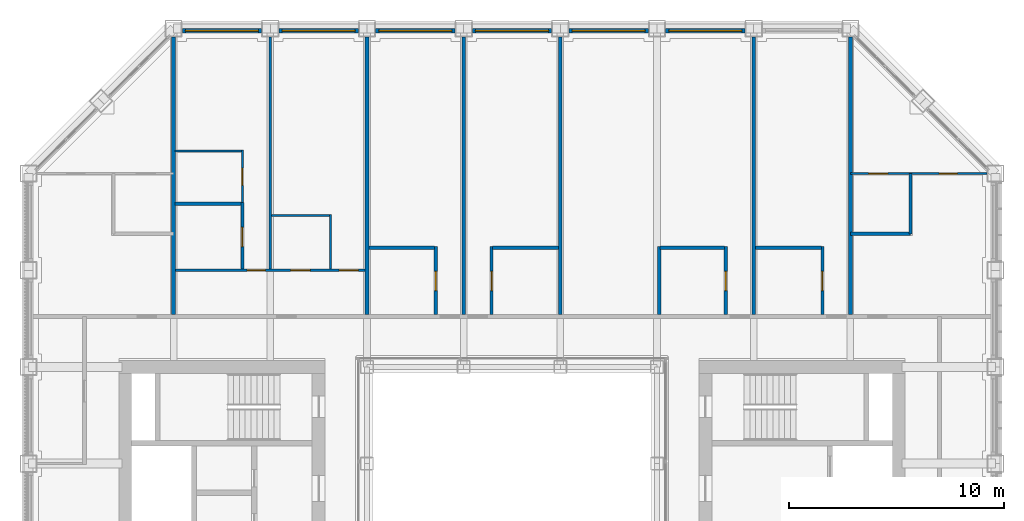
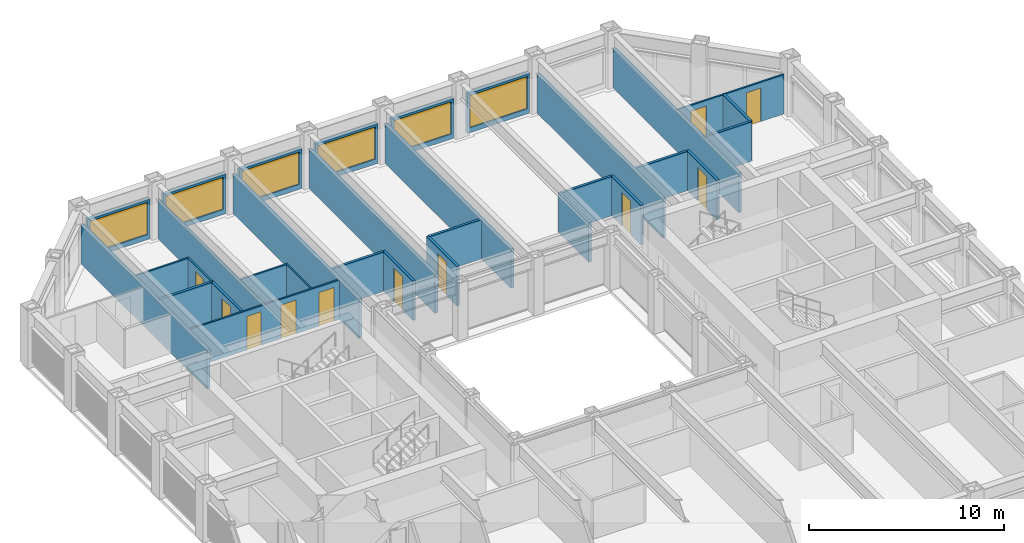
# One storey, part 13 of 17: 32 walls, 11 doors, 6 windows, 17 openings.
"""IFC4 building model written with IfcOpenShell, lengths in metres."""

from ifc_helpers import new_model, si_unit, direction, frame, frame_2d, origin, place, context, subcontext, project, spatial, rectangle, extrude, material, layer, layer_set, type_object, element, fill, save


model = new_model("IFC4")

# Units and contexts
model_context = context("Model", 3, precision=1e-05, world=origin(), true_north=direction((0.0, 1.0)))
body_context = subcontext(model_context, "Body", "Model", "MODEL_VIEW")
ifc_project = project(units=[si_unit("LENGTHUNIT", "METRE"), si_unit("AREAUNIT", "SQUARE_METRE"), si_unit("VOLUMEUNIT", "CUBIC_METRE"), si_unit("PLANEANGLEUNIT", "RADIAN"), si_unit("MASSUNIT", "GRAM", prefix="KILO")], contexts=[model_context])

# Site, building, storey
site_placement = place(None, origin())
site = spatial("IfcSite", under=ifc_project, at=site_placement, CompositionType="ELEMENT")
building_placement = place(site_placement, origin())
building = spatial("IfcBuilding", under=site, at=building_placement, Name="Msasa Ring Tower", CompositionType="ELEMENT")
storey_placement = place(building_placement, frame((0.0, 0.0, 176.0)))
storey = spatial("IfcBuildingStorey", under=building, at=storey_placement, Name="L46", CompositionType="ELEMENT", Elevation=176.0)

# Wall, opening, window
ifc_material_1 = material(Name="Terracotta rainscreen on blockwork", Category="masonry")
ifc_layer_1 = layer(ifc_material_1, 0.199951171875)
ifc_layer_set_1 = layer_set([ifc_layer_1], Name="FW1 TERRACOTTA-LINED INFILL BAY WALL 200")
wall_type_1 = type_object("IfcWallType", Name="FW1 TERRACOTTA-LINED INFILL BAY WALL 200", PredefinedType="SOLIDWALL", material=ifc_layer_set_1)
wall_1_placement = place(storey_placement, frame((-15.344970703125, 22.39990234375, 0.0), z_axis=(0.0, 0.0, 1.0), x_axis=(1.0, 0.0, 0.0)))
wall_1 = element("IfcWall", 1, at=wall_1_placement, inside=storey, type_object=wall_type_1, Name="Infill bay wall N L46 18", PredefinedType="SOLIDWALL", context=body_context, shape_type="SweptSolid", body=[
    extrude(rectangle(XDim=3.68994140625, YDim=0.199951171875, at=frame_2d((1.844970703125, 0.0))), origin(), (0.0, 0.0, 1.0), 2.47900390625),
])
opening_1_placement = place(wall_1_placement, frame((0.14501953125, 0.0, 0.300048828125)))
opening_1 = element("IfcOpeningElement", 2, at=opening_1_placement, cuts=wall_1, Name="Opening WN2", PredefinedType="OPENING", context=body_context, shape_type="SweptSolid", body=[
    extrude(rectangle(XDim=3.39990234375, YDim=2.029052734375, at=frame_2d((1.699951171875, 1.0146484375))), frame((0.0, 0.10986328125, 0.0), z_axis=(0.0, -1.0, 0.0), x_axis=(1.0, 0.0, 0.0)), (0.0, 0.0, 1.0), 0.219970703125),
])
ifc_material_2 = material(Name="Aluminium frame with clear glass", Category="aluminium")
window_type = type_object("IfcWindowType", Name="WN2 GUEST ROOM WINDOW 3400x2029", PartitioningType="SINGLE_PANEL", PredefinedType="WINDOW", material=ifc_material_2)
window_1_placement = place(opening_1_placement, origin())
window_1 = element("IfcWindow", 3, at=window_1_placement, inside=storey, type_object=window_type, Name="Window N L46 18", OverallHeight=2.029052734375, OverallWidth=3.39990234375, PartitioningType="SINGLE_PANEL", PredefinedType="WINDOW", context=body_context, shape_type="SweptSolid", body=[
    extrude(rectangle(XDim=3.39990234375, YDim=2.029052734375, at=frame_2d((1.699951171875, 1.0146484375))), frame((0.0, 0.030029296875, 0.0), z_axis=(0.0, -1.0, 0.0), x_axis=(1.0, 0.0, 0.0)), (0.0, 0.0, 1.0), 0.06005859375),
])
fill(opening_1, window_1)

wall_2_placement = place(storey_placement, frame((-10.844970703125, 22.39990234375, 0.0), z_axis=(0.0, 0.0, 1.0), x_axis=(1.0, 0.0, 0.0)))
wall_2 = element("IfcWall", 4, at=wall_2_placement, inside=storey, type_object=wall_type_1, Name="Infill bay wall N L46 19", PredefinedType="SOLIDWALL", context=body_context, shape_type="SweptSolid", body=[
    extrude(rectangle(XDim=3.68994140625, YDim=0.199951171875, at=frame_2d((1.844970703125, 0.0))), origin(), (0.0, 0.0, 1.0), 2.47900390625),
])
opening_2_placement = place(wall_2_placement, frame((0.14501953125, 0.0, 0.300048828125)))
opening_2 = element("IfcOpeningElement", 5, at=opening_2_placement, cuts=wall_2, Name="Opening WN2", PredefinedType="OPENING", context=body_context, shape_type="SweptSolid", body=[
    extrude(rectangle(XDim=3.39990234375, YDim=2.029052734375, at=frame_2d((1.699951171875, 1.0146484375))), frame((0.0, 0.10986328125, 0.0), z_axis=(0.0, -1.0, 0.0), x_axis=(1.0, 0.0, 0.0)), (0.0, 0.0, 1.0), 0.219970703125),
])
window_2_placement = place(opening_2_placement, origin())
window_2 = element("IfcWindow", 6, at=window_2_placement, inside=storey, type_object=window_type, Name="Window N L46 19", OverallHeight=2.029052734375, OverallWidth=3.39990234375, PartitioningType="SINGLE_PANEL", PredefinedType="WINDOW", context=body_context, shape_type="SweptSolid", body=[
    extrude(rectangle(XDim=3.39990234375, YDim=2.029052734375, at=frame_2d((1.699951171875, 1.0146484375))), frame((0.0, 0.030029296875, 0.0), z_axis=(0.0, -1.0, 0.0), x_axis=(1.0, 0.0, 0.0)), (0.0, 0.0, 1.0), 0.06005859375),
])
fill(opening_2, window_2)

wall_3_placement = place(storey_placement, frame((-6.344970703125, 22.39990234375, 0.0), z_axis=(0.0, 0.0, 1.0), x_axis=(1.0, 0.0, 0.0)))
wall_3 = element("IfcWall", 7, at=wall_3_placement, inside=storey, type_object=wall_type_1, Name="Infill bay wall N L46 20", PredefinedType="SOLIDWALL", context=body_context, shape_type="SweptSolid", body=[
    extrude(rectangle(XDim=3.68994140625, YDim=0.199951171875, at=frame_2d((1.844970703125, 0.0))), origin(), (0.0, 0.0, 1.0), 2.47900390625),
])
opening_3_placement = place(wall_3_placement, frame((0.14501953125, 0.0, 0.300048828125)))
opening_3 = element("IfcOpeningElement", 8, at=opening_3_placement, cuts=wall_3, Name="Opening WN2", PredefinedType="OPENING", context=body_context, shape_type="SweptSolid", body=[
    extrude(rectangle(XDim=3.39990234375, YDim=2.029052734375, at=frame_2d((1.699951171875, 1.0146484375))), frame((0.0, 0.10986328125, 0.0), z_axis=(0.0, -1.0, 0.0), x_axis=(1.0, 0.0, 0.0)), (0.0, 0.0, 1.0), 0.219970703125),
])
window_3_placement = place(opening_3_placement, origin())
window_3 = element("IfcWindow", 9, at=window_3_placement, inside=storey, type_object=window_type, Name="Window N L46 20", OverallHeight=2.029052734375, OverallWidth=3.39990234375, PartitioningType="SINGLE_PANEL", PredefinedType="WINDOW", context=body_context, shape_type="SweptSolid", body=[
    extrude(rectangle(XDim=3.39990234375, YDim=2.029052734375, at=frame_2d((1.699951171875, 1.0146484375))), frame((0.0, 0.030029296875, 0.0), z_axis=(0.0, -1.0, 0.0), x_axis=(1.0, 0.0, 0.0)), (0.0, 0.0, 1.0), 0.06005859375),
])
fill(opening_3, window_3)

wall_4_placement = place(storey_placement, frame((-1.844970703125, 22.39990234375, 0.0), z_axis=(0.0, 0.0, 1.0), x_axis=(1.0, 0.0, 0.0)))
wall_4 = element("IfcWall", 10, at=wall_4_placement, inside=storey, type_object=wall_type_1, Name="Infill bay wall N L46 21", PredefinedType="SOLIDWALL", context=body_context, shape_type="SweptSolid", body=[
    extrude(rectangle(XDim=3.68994140625, YDim=0.199951171875, at=frame_2d((1.844970703125, 0.0))), origin(), (0.0, 0.0, 1.0), 2.47900390625),
])
opening_4_placement = place(wall_4_placement, frame((0.14501953125, 0.0, 0.300048828125)))
opening_4 = element("IfcOpeningElement", 11, at=opening_4_placement, cuts=wall_4, Name="Opening WN2", PredefinedType="OPENING", context=body_context, shape_type="SweptSolid", body=[
    extrude(rectangle(XDim=3.39990234375, YDim=2.029052734375, at=frame_2d((1.699951171875, 1.0146484375))), frame((0.0, 0.10986328125, 0.0), z_axis=(0.0, -1.0, 0.0), x_axis=(1.0, 0.0, 0.0)), (0.0, 0.0, 1.0), 0.219970703125),
])
window_4_placement = place(opening_4_placement, origin())
window_4 = element("IfcWindow", 12, at=window_4_placement, inside=storey, type_object=window_type, Name="Window N L46 21", OverallHeight=2.029052734375, OverallWidth=3.39990234375, PartitioningType="SINGLE_PANEL", PredefinedType="WINDOW", context=body_context, shape_type="SweptSolid", body=[
    extrude(rectangle(XDim=3.39990234375, YDim=2.029052734375, at=frame_2d((1.699951171875, 1.0146484375))), frame((0.0, 0.030029296875, 0.0), z_axis=(0.0, -1.0, 0.0), x_axis=(1.0, 0.0, 0.0)), (0.0, 0.0, 1.0), 0.06005859375),
])
fill(opening_4, window_4)

wall_5_placement = place(storey_placement, frame((2.655029296875, 22.39990234375, 0.0), z_axis=(0.0, 0.0, 1.0), x_axis=(1.0, 0.0, 0.0)))
wall_5 = element("IfcWall", 13, at=wall_5_placement, inside=storey, type_object=wall_type_1, Name="Infill bay wall N L46 22", PredefinedType="SOLIDWALL", context=body_context, shape_type="SweptSolid", body=[
    extrude(rectangle(XDim=3.68994140625, YDim=0.199951171875, at=frame_2d((1.844970703125, 0.0))), origin(), (0.0, 0.0, 1.0), 2.47900390625),
])
opening_5_placement = place(wall_5_placement, frame((0.14501953125, 0.0, 0.300048828125)))
opening_5 = element("IfcOpeningElement", 14, at=opening_5_placement, cuts=wall_5, Name="Opening WN2", PredefinedType="OPENING", context=body_context, shape_type="SweptSolid", body=[
    extrude(rectangle(XDim=3.39990234375, YDim=2.029052734375, at=frame_2d((1.699951171875, 1.0146484375))), frame((0.0, 0.10986328125, 0.0), z_axis=(0.0, -1.0, 0.0), x_axis=(1.0, 0.0, 0.0)), (0.0, 0.0, 1.0), 0.219970703125),
])
window_5_placement = place(opening_5_placement, origin())
window_5 = element("IfcWindow", 15, at=window_5_placement, inside=storey, type_object=window_type, Name="Window N L46 22", OverallHeight=2.029052734375, OverallWidth=3.39990234375, PartitioningType="SINGLE_PANEL", PredefinedType="WINDOW", context=body_context, shape_type="SweptSolid", body=[
    extrude(rectangle(XDim=3.39990234375, YDim=2.029052734375, at=frame_2d((1.699951171875, 1.0146484375))), frame((0.0, 0.030029296875, 0.0), z_axis=(0.0, -1.0, 0.0), x_axis=(1.0, 0.0, 0.0)), (0.0, 0.0, 1.0), 0.06005859375),
])
fill(opening_5, window_5)

wall_6_placement = place(storey_placement, frame((7.155029296875, 22.39990234375, 0.0), z_axis=(0.0, 0.0, 1.0), x_axis=(1.0, 0.0, 0.0)))
wall_6 = element("IfcWall", 16, at=wall_6_placement, inside=storey, type_object=wall_type_1, Name="Infill bay wall N L46 23", PredefinedType="SOLIDWALL", context=body_context, shape_type="SweptSolid", body=[
    extrude(rectangle(XDim=3.68994140625, YDim=0.199951171875, at=frame_2d((1.844970703125, 0.0))), origin(), (0.0, 0.0, 1.0), 2.47900390625),
])
opening_6_placement = place(wall_6_placement, frame((0.14501953125, 0.0, 0.300048828125)))
opening_6 = element("IfcOpeningElement", 17, at=opening_6_placement, cuts=wall_6, Name="Opening WN2", PredefinedType="OPENING", context=body_context, shape_type="SweptSolid", body=[
    extrude(rectangle(XDim=3.39990234375, YDim=2.029052734375, at=frame_2d((1.699951171875, 1.0146484375))), frame((0.0, 0.10986328125, 0.0), z_axis=(0.0, -1.0, 0.0), x_axis=(1.0, 0.0, 0.0)), (0.0, 0.0, 1.0), 0.219970703125),
])
window_6_placement = place(opening_6_placement, origin())
window_6 = element("IfcWindow", 18, at=window_6_placement, inside=storey, type_object=window_type, Name="Window N L46 23", OverallHeight=2.029052734375, OverallWidth=3.39990234375, PartitioningType="SINGLE_PANEL", PredefinedType="WINDOW", context=body_context, shape_type="SweptSolid", body=[
    extrude(rectangle(XDim=3.39990234375, YDim=2.029052734375, at=frame_2d((1.699951171875, 1.0146484375))), frame((0.0, 0.030029296875, 0.0), z_axis=(0.0, -1.0, 0.0), x_axis=(1.0, 0.0, 0.0)), (0.0, 0.0, 1.0), 0.06005859375),
])
fill(opening_6, window_6)

# Wall, openings, doors
ifc_material_3 = material(Name="Gypsum board on steel studs", Category="steel")
ifc_layer_2 = layer(ifc_material_3, 0.10009765625)
ifc_layer_set_2 = layer_set([ifc_layer_2], Name="PT2 STUD PARTITION 100")
wall_type_2 = type_object("IfcWallType", Name="PT2 STUD PARTITION 100", PredefinedType="PARTITIONING", material=ifc_layer_set_2)
wall_7_placement = place(storey_placement, frame((-15.66259765625, 11.25, 0.0), z_axis=(0.0, 0.0, 1.0), x_axis=(1.0, 0.0, 0.0)))
wall_7 = element("IfcWall", 19, at=wall_7_placement, inside=storey, type_object=wall_type_2, Name="Partition L46-GN00HY", PredefinedType="PARTITIONING", context=body_context, shape_type="SweptSolid", body=[
    extrude(rectangle(XDim=8.8251953125, YDim=0.10009765625, at=frame_2d((4.41259765625, 0.0))), origin(), (0.0, 0.0, 1.0), 2.473388671875),
])
opening_7_placement = place(wall_7_placement, frame((5.362548828125, 0.0, 0.0)))
opening_7 = element("IfcOpeningElement", 20, at=opening_7_placement, cuts=wall_7, Name="Opening HF-008", PredefinedType="OPENING", context=body_context, shape_type="SweptSolid", body=[
    extrude(rectangle(XDim=0.89990234375, YDim=2.10009765625, at=frame_2d((0.449951171875, 1.050048828125))), frame((0.0, 0.06005859375, 0.0), z_axis=(0.0, -1.0, 0.0), x_axis=(1.0, 0.0, 0.0)), (0.0, 0.0, 1.0), 0.1201171875),
])
opening_8_placement = place(wall_7_placement, frame((7.612548828125, 0.0, 0.0)))
opening_8 = element("IfcOpeningElement", 21, at=opening_8_placement, cuts=wall_7, Name="Opening HF-009", PredefinedType="OPENING", context=body_context, shape_type="SweptSolid", body=[
    extrude(rectangle(XDim=0.89990234375, YDim=2.10009765625, at=frame_2d((0.449951171875, 1.050048828125))), frame((0.0, 0.06005859375, 0.0), z_axis=(0.0, -1.0, 0.0), x_axis=(1.0, 0.0, 0.0)), (0.0, 0.0, 1.0), 0.1201171875),
])
opening_9_placement = place(wall_7_placement, frame((3.33740234375, 0.0, 0.0)))
opening_9 = element("IfcOpeningElement", 22, at=opening_9_placement, cuts=wall_7, Name="Opening HF-007", PredefinedType="OPENING", context=body_context, shape_type="SweptSolid", body=[
    extrude(rectangle(XDim=0.85009765625, YDim=2.10009765625, at=frame_2d((0.425048828125, 1.050048828125))), frame((0.0, 0.06005859375, 0.0), z_axis=(0.0, -1.0, 0.0), x_axis=(1.0, 0.0, 0.0)), (0.0, 0.0, 1.0), 0.1201171875),
])
ifc_material_4 = material(Name="Timber door leaf in a steel frame", Category="steel")
door_type_1 = type_object("IfcDoorType", Name="D14 BEDROOM DOOR 850x2100", OperationType="SINGLE_SWING_LEFT", PredefinedType="DOOR", material=ifc_material_4)
door_1_placement = place(opening_9_placement, origin())
door_1 = element("IfcDoor", 23, at=door_1_placement, inside=storey, type_object=door_type_1, Name="Door L46-GN00R1", OperationType="SINGLE_SWING_LEFT", OverallHeight=2.10009765625, OverallWidth=0.85009765625, PredefinedType="DOOR", context=body_context, shape_type="SweptSolid", body=[
    extrude(rectangle(XDim=0.85009765625, YDim=2.10009765625, at=frame_2d((0.425048828125, 1.050048828125))), frame((0.0, 0.02490234375, 0.0), z_axis=(0.0, -1.0, 0.0), x_axis=(1.0, 0.0, 0.0)), (0.0, 0.0, 1.0), 0.050048828125),
])
fill(opening_9, door_1)
ifc_material_5 = material(Name="Timber door leaf in a steel frame", Category="steel")
door_type_2 = type_object("IfcDoorType", Name="D22 INTERNAL HALL DOOR 900x2100", OperationType="SINGLE_SWING_LEFT", PredefinedType="DOOR", material=ifc_material_5)
door_2_placement = place(opening_7_placement, origin())
door_2 = element("IfcDoor", 24, at=door_2_placement, inside=storey, type_object=door_type_2, Name="Door L46-GN00K", OperationType="SINGLE_SWING_RIGHT", OverallHeight=2.10009765625, OverallWidth=0.89990234375, PredefinedType="DOOR", context=body_context, shape_type="SweptSolid", body=[
    extrude(rectangle(XDim=0.89990234375, YDim=2.10009765625, at=frame_2d((0.449951171875, 1.050048828125))), frame((0.0, 0.02490234375, 0.0), z_axis=(0.0, -1.0, 0.0), x_axis=(1.0, 0.0, 0.0)), (0.0, 0.0, 1.0), 0.050048828125),
])
fill(opening_7, door_2)
door_3_placement = place(opening_8_placement, origin())
door_3 = element("IfcDoor", 25, at=door_3_placement, inside=storey, type_object=door_type_2, Name="Door L46-GN00L", OperationType="SINGLE_SWING_RIGHT", OverallHeight=2.10009765625, OverallWidth=0.89990234375, PredefinedType="DOOR", context=body_context, shape_type="SweptSolid", body=[
    extrude(rectangle(XDim=0.89990234375, YDim=2.10009765625, at=frame_2d((0.449951171875, 1.050048828125))), frame((0.0, 0.02490234375, 0.0), z_axis=(0.0, -1.0, 0.0), x_axis=(1.0, 0.0, 0.0)), (0.0, 0.0, 1.0), 0.050048828125),
])
fill(opening_8, door_3)

# Walls
wall_8_placement = place(storey_placement, frame((-8.449951171875, 11.300048828125, 0.0), z_axis=(0.0, 0.0, 1.0), x_axis=(0.0, 1.0, 0.0)))
element("IfcWall", 26, at=wall_8_placement, inside=storey, type_object=wall_type_2, Name="Partition L46-GN00KX", PredefinedType="PARTITIONING", context=body_context, shape_type="SweptSolid", body=[
    extrude(rectangle(XDim=2.550048828125, YDim=0.10009765625, at=frame_2d((1.27490234375, 0.0))), origin(), (0.0, 0.0, 1.0), 2.473388671875),
])
wall_9_placement = place(storey_placement, frame((-11.199951171875, 13.800048828125, 0.0), z_axis=(0.0, 0.0, 1.0), x_axis=(1.0, 0.0, 0.0)))
element("IfcWall", 27, at=wall_9_placement, inside=storey, type_object=wall_type_2, Name="Partition L46-GN00KY", PredefinedType="PARTITIONING", context=body_context, shape_type="SweptSolid", body=[
    extrude(rectangle(XDim=2.75, YDim=0.10009765625, at=frame_2d((1.375, 0.0))), origin(), (0.0, 0.0, 1.0), 2.473388671875),
])
wall_10_placement = place(storey_placement, frame((-11.25, 11.300048828125, 0.0), z_axis=(0.0, 0.0, 1.0), x_axis=(0.0, 1.0, 0.0)))
element("IfcWall", 28, at=wall_10_placement, inside=storey, type_object=wall_type_2, Name="Partition L46-GN00P1", PredefinedType="PARTITIONING", context=body_context, shape_type="SweptSolid", body=[
    extrude(rectangle(XDim=10.800048828125, YDim=0.10009765625, at=frame_2d((5.39990234375, 0.0))), origin(), (0.0, 0.0, 1.0), 2.473388671875),
])

# Wall, opening, door
wall_11_placement = place(storey_placement, frame((-12.550048828125, 14.39990234375, 0.0), z_axis=(0.0, 0.0, 1.0), x_axis=(0.0, 1.0, 0.0)))
wall_11 = element("IfcWall", 29, at=wall_11_placement, inside=storey, type_object=wall_type_2, Name="Partition L46-GN00WX1", PredefinedType="PARTITIONING", context=body_context, shape_type="SweptSolid", body=[
    extrude(rectangle(XDim=2.4501953125, YDim=0.10009765625, at=frame_2d((1.22509765625, 0.0))), origin(), (0.0, 0.0, 1.0), 2.473388671875),
])
opening_10_placement = place(wall_11_placement, frame((0.800048828125, 0.0, 0.0)))
opening_10 = element("IfcOpeningElement", 30, at=opening_10_placement, cuts=wall_11, Name="Opening HF-005", PredefinedType="OPENING", context=body_context, shape_type="SweptSolid", body=[
    extrude(rectangle(XDim=0.800048828125, YDim=2.10009765625, at=frame_2d((0.39990234375, 1.050048828125))), frame((0.0, 0.06005859375, 0.0), z_axis=(0.0, -1.0, 0.0), x_axis=(1.0, 0.0, 0.0)), (0.0, 0.0, 1.0), 0.1201171875),
])
ifc_material_6 = material(Name="Timber door leaf in a steel frame", Category="steel")
door_type_3 = type_object("IfcDoorType", Name="D60 DRESSING ROOM DOOR 800x2100", OperationType="SINGLE_SWING_LEFT", PredefinedType="DOOR", material=ifc_material_6)
door_4_placement = place(opening_10_placement, origin())
door_4 = element("IfcDoor", 31, at=door_4_placement, inside=storey, type_object=door_type_3, Name="Door L46-GN00W1", OperationType="SINGLE_SWING_LEFT", OverallHeight=2.10009765625, OverallWidth=0.800048828125, PredefinedType="DOOR", context=body_context, shape_type="SweptSolid", body=[
    extrude(rectangle(XDim=0.800048828125, YDim=2.10009765625, at=frame_2d((0.39990234375, 1.050048828125))), frame((0.0, 0.02490234375, 0.0), z_axis=(0.0, -1.0, 0.0), x_axis=(1.0, 0.0, 0.0)), (0.0, 0.0, 1.0), 0.050048828125),
])
fill(opening_10, door_4)

# Wall
wall_12_placement = place(storey_placement, frame((-15.68994140625, 16.800048828125, 0.0), z_axis=(0.0, 0.0, 1.0), x_axis=(1.0, 0.0, 0.0)))
element("IfcWall", 32, at=wall_12_placement, inside=storey, type_object=wall_type_2, Name="Partition L46-GN00WY1", PredefinedType="PARTITIONING", context=body_context, shape_type="SweptSolid", body=[
    extrude(rectangle(XDim=3.139892578125, YDim=0.10009765625, at=frame_2d((1.56982421875, 0.0))), origin(), (0.0, 0.0, 1.0), 2.473388671875),
])

# Wall, openings, doors
wall_13_placement = place(storey_placement, frame((15.75, 15.75, 0.0), z_axis=(0.0, 0.0, 1.0), x_axis=(1.0, 0.0, 0.0)))
wall_13 = element("IfcWall", 33, at=wall_13_placement, inside=storey, type_object=wall_type_2, Name="Partition L46-CSNEX", PredefinedType="PARTITIONING", context=body_context, shape_type="SweptSolid", body=[
    extrude(rectangle(XDim=6.35009765625, YDim=0.10009765625, at=frame_2d((3.175048828125, 0.0))), origin(), (0.0, 0.0, 1.0), 2.473388671875),
])
opening_11_placement = place(wall_13_placement, frame((4.125, 0.0, 0.0)))
opening_11 = element("IfcOpeningElement", 34, at=opening_11_placement, cuts=wall_13, Name="Opening HF-004", PredefinedType="OPENING", context=body_context, shape_type="SweptSolid", body=[
    extrude(rectangle(XDim=0.85009765625, YDim=2.10009765625, at=frame_2d((0.425048828125, 1.050048828125))), frame((0.0, 0.06005859375, 0.0), z_axis=(0.0, -1.0, 0.0), x_axis=(1.0, 0.0, 0.0)), (0.0, 0.0, 1.0), 0.1201171875),
])
opening_12_placement = place(wall_13_placement, frame((0.85009765625, 0.0, 0.0)))
opening_12 = element("IfcOpeningElement", 35, at=opening_12_placement, cuts=wall_13, Name="Opening HF-003", PredefinedType="OPENING", context=body_context, shape_type="SweptSolid", body=[
    extrude(rectangle(XDim=0.89990234375, YDim=2.10009765625, at=frame_2d((0.449951171875, 1.050048828125))), frame((0.0, 0.06005859375, 0.0), z_axis=(0.0, -1.0, 0.0), x_axis=(1.0, 0.0, 0.0)), (0.0, 0.0, 1.0), 0.1201171875),
])
door_5_placement = place(opening_11_placement, origin())
door_5 = element("IfcDoor", 36, at=door_5_placement, inside=storey, type_object=door_type_1, Name="Door L46-CSNER1", OperationType="SINGLE_SWING_RIGHT", OverallHeight=2.10009765625, OverallWidth=0.85009765625, PredefinedType="DOOR", context=body_context, shape_type="SweptSolid", body=[
    extrude(rectangle(XDim=0.85009765625, YDim=2.10009765625, at=frame_2d((0.425048828125, 1.050048828125))), frame((0.0, 0.02490234375, 0.0), z_axis=(0.0, -1.0, 0.0), x_axis=(1.0, 0.0, 0.0)), (0.0, 0.0, 1.0), 0.050048828125),
])
fill(opening_11, door_5)
ifc_material_7 = material(Name="Timber door leaf in a steel frame", Category="steel")
door_type_4 = type_object("IfcDoorType", Name="D3 BATHROOM DOOR 900x2100", OperationType="SINGLE_SWING_LEFT", PredefinedType="DOOR", material=ifc_material_7)
door_6_placement = place(opening_12_placement, origin())
door_6 = element("IfcDoor", 37, at=door_6_placement, inside=storey, type_object=door_type_4, Name="Door L46-CSNEB1", OperationType="SINGLE_SWING_LEFT", OverallHeight=2.10009765625, OverallWidth=0.89990234375, PredefinedType="DOOR", context=body_context, shape_type="SweptSolid", body=[
    extrude(rectangle(XDim=0.89990234375, YDim=2.10009765625, at=frame_2d((0.449951171875, 1.050048828125))), frame((0.0, 0.02490234375, 0.0), z_axis=(0.0, -1.0, 0.0), x_axis=(1.0, 0.0, 0.0)), (0.0, 0.0, 1.0), 0.050048828125),
])
fill(opening_12, door_6)

# Wall, opening, door
ifc_material_8 = material(Name="Moisture-resistant board on steel studs with a concealed cistern and pipe void, tiled", Category="steel")
ifc_layer_3 = layer(ifc_material_8, 0.14990234375)
ifc_layer_set_3 = layer_set([ifc_layer_3], Name="PT4 BATHROOM WET WALL 150")
wall_type_3 = type_object("IfcWallType", Name="PT4 BATHROOM WET WALL 150", PredefinedType="PARTITIONING", material=ifc_layer_set_3)
wall_14_placement = place(storey_placement, frame((-12.550048828125, 11.300048828125, 0.0), z_axis=(0.0, 0.0, 1.0), x_axis=(0.0, 1.0, 0.0)))
wall_14 = element("IfcWall", 38, at=wall_14_placement, inside=storey, type_object=wall_type_3, Name="Partition L46-GN00BX1", PredefinedType="PARTITIONING", context=body_context, shape_type="SweptSolid", body=[
    extrude(rectangle(XDim=3.099853515625, YDim=0.14990234375, at=frame_2d((1.5498046875, 0.0))), origin(), (0.0, 0.0, 1.0), 2.473388671875),
])
opening_13_placement = place(wall_14_placement, frame((1.050048828125, 0.0, 0.0)))
opening_13 = element("IfcOpeningElement", 39, at=opening_13_placement, cuts=wall_14, Name="Opening HF-006", PredefinedType="OPENING", context=body_context, shape_type="SweptSolid", body=[
    extrude(rectangle(XDim=0.89990234375, YDim=2.10009765625, at=frame_2d((0.449951171875, 1.050048828125))), frame((0.0, 0.0849609375, 0.0), z_axis=(0.0, -1.0, 0.0), x_axis=(1.0, 0.0, 0.0)), (0.0, 0.0, 1.0), 0.169921875),
])
door_7_placement = place(opening_13_placement, origin())
door_7 = element("IfcDoor", 40, at=door_7_placement, inside=storey, type_object=door_type_4, Name="Door L46-GN00B1", OperationType="SINGLE_SWING_LEFT", OverallHeight=2.10009765625, OverallWidth=0.89990234375, PredefinedType="DOOR", context=body_context, shape_type="SweptSolid", body=[
    extrude(rectangle(XDim=0.89990234375, YDim=2.10009765625, at=frame_2d((0.449951171875, 1.050048828125))), frame((0.0, 0.02490234375, 0.0), z_axis=(0.0, -1.0, 0.0), x_axis=(1.0, 0.0, 0.0)), (0.0, 0.0, 1.0), 0.050048828125),
])
fill(opening_13, door_7)

# Wall
wall_15_placement = place(storey_placement, frame((-15.68994140625, 14.35009765625, 0.0), z_axis=(0.0, 0.0, 1.0), x_axis=(1.0, 0.0, 0.0)))
element("IfcWall", 41, at=wall_15_placement, inside=storey, type_object=wall_type_3, Name="Partition L46-GN00BY1", PredefinedType="PARTITIONING", context=body_context, shape_type="SweptSolid", body=[
    extrude(rectangle(XDim=3.139892578125, YDim=0.14990234375, at=frame_2d((1.56982421875, 0.0))), origin(), (0.0, 0.0, 1.0), 2.473388671875),
])

# Wall, opening, door
wall_16_placement = place(storey_placement, frame((-3.550048828125, 9.199951171875, 0.0), z_axis=(0.0, 0.0, 1.0), x_axis=(0.0, 1.0, 0.0)))
wall_16 = element("IfcWall", 42, at=wall_16_placement, inside=storey, type_object=wall_type_3, Name="Partition L46-GN01BX", PredefinedType="PARTITIONING", context=body_context, shape_type="SweptSolid", body=[
    extrude(rectangle(XDim=3.150146484375, YDim=0.14990234375, at=frame_2d((1.5751953125, 0.0))), origin(), (0.0, 0.0, 1.0), 2.473388671875),
])
opening_14_placement = place(wall_16_placement, frame((1.10009765625, 0.0, 0.0)))
opening_14 = element("IfcOpeningElement", 43, at=opening_14_placement, cuts=wall_16, Name="Opening HF-010", PredefinedType="OPENING", context=body_context, shape_type="SweptSolid", body=[
    extrude(rectangle(XDim=0.89990234375, YDim=2.10009765625, at=frame_2d((0.449951171875, 1.050048828125))), frame((0.0, 0.0849609375, 0.0), z_axis=(0.0, -1.0, 0.0), x_axis=(1.0, 0.0, 0.0)), (0.0, 0.0, 1.0), 0.169921875),
])
door_8_placement = place(opening_14_placement, origin())
door_8 = element("IfcDoor", 44, at=door_8_placement, inside=storey, type_object=door_type_4, Name="Door L46-GN01B", OperationType="SINGLE_SWING_LEFT", OverallHeight=2.10009765625, OverallWidth=0.89990234375, PredefinedType="DOOR", context=body_context, shape_type="SweptSolid", body=[
    extrude(rectangle(XDim=0.89990234375, YDim=2.10009765625, at=frame_2d((0.449951171875, 1.050048828125))), frame((0.0, 0.02490234375, 0.0), z_axis=(0.0, -1.0, 0.0), x_axis=(1.0, 0.0, 0.0)), (0.0, 0.0, 1.0), 0.050048828125),
])
fill(opening_14, door_8)

# Wall
wall_17_placement = place(storey_placement, frame((-6.66259765625, 12.300048828125, 0.0), z_axis=(0.0, 0.0, 1.0), x_axis=(1.0, 0.0, 0.0)))
element("IfcWall", 45, at=wall_17_placement, inside=storey, type_object=wall_type_3, Name="Partition L46-GN01BY", PredefinedType="PARTITIONING", context=body_context, shape_type="SweptSolid", body=[
    extrude(rectangle(XDim=3.0625, YDim=0.14990234375, at=frame_2d((1.53125, 0.0))), origin(), (0.0, 0.0, 1.0), 2.473388671875),
])

# Wall, opening, door
wall_18_placement = place(storey_placement, frame((-0.949951171875, 9.199951171875, 0.0), z_axis=(0.0, 0.0, 1.0), x_axis=(0.0, 1.0, 0.0)))
wall_18 = element("IfcWall", 46, at=wall_18_placement, inside=storey, type_object=wall_type_3, Name="Partition L46-GN02BX", PredefinedType="PARTITIONING", context=body_context, shape_type="SweptSolid", body=[
    extrude(rectangle(XDim=3.150146484375, YDim=0.14990234375, at=frame_2d((1.5751953125, 0.0))), origin(), (0.0, 0.0, 1.0), 2.473388671875),
])
opening_15_placement = place(wall_18_placement, frame((1.10009765625, 0.0, 0.0)))
opening_15 = element("IfcOpeningElement", 47, at=opening_15_placement, cuts=wall_18, Name="Opening HF-011", PredefinedType="OPENING", context=body_context, shape_type="SweptSolid", body=[
    extrude(rectangle(XDim=0.89990234375, YDim=2.10009765625, at=frame_2d((0.449951171875, 1.050048828125))), frame((0.0, 0.0849609375, 0.0), z_axis=(0.0, -1.0, 0.0), x_axis=(1.0, 0.0, 0.0)), (0.0, 0.0, 1.0), 0.169921875),
])
door_9_placement = place(opening_15_placement, origin())
door_9 = element("IfcDoor", 48, at=door_9_placement, inside=storey, type_object=door_type_4, Name="Door L46-GN02B", OperationType="SINGLE_SWING_LEFT", OverallHeight=2.10009765625, OverallWidth=0.89990234375, PredefinedType="DOOR", context=body_context, shape_type="SweptSolid", body=[
    extrude(rectangle(XDim=0.89990234375, YDim=2.10009765625, at=frame_2d((0.449951171875, 1.050048828125))), frame((0.0, 0.02490234375, 0.0), z_axis=(0.0, -1.0, 0.0), x_axis=(1.0, 0.0, 0.0)), (0.0, 0.0, 1.0), 0.050048828125),
])
fill(opening_15, door_9)

# Wall
wall_19_placement = place(storey_placement, frame((-0.89990234375, 12.300048828125, 0.0), z_axis=(0.0, 0.0, 1.0), x_axis=(1.0, 0.0, 0.0)))
element("IfcWall", 49, at=wall_19_placement, inside=storey, type_object=wall_type_3, Name="Partition L46-GN02BY", PredefinedType="PARTITIONING", context=body_context, shape_type="SweptSolid", body=[
    extrude(rectangle(XDim=3.0625, YDim=0.14990234375, at=frame_2d((1.53125, 0.0))), origin(), (0.0, 0.0, 1.0), 2.473388671875),
])

# Wall, opening, door
wall_20_placement = place(storey_placement, frame((9.949951171875, 9.199951171875, 0.0), z_axis=(0.0, 0.0, 1.0), x_axis=(0.0, 1.0, 0.0)))
wall_20 = element("IfcWall", 50, at=wall_20_placement, inside=storey, type_object=wall_type_3, Name="Partition L46-GN03BX", PredefinedType="PARTITIONING", context=body_context, shape_type="SweptSolid", body=[
    extrude(rectangle(XDim=3.150146484375, YDim=0.14990234375, at=frame_2d((1.5751953125, 0.0))), origin(), (0.0, 0.0, 1.0), 2.473388671875),
])
opening_16_placement = place(wall_20_placement, frame((1.10009765625, 0.0, 0.0)))
opening_16 = element("IfcOpeningElement", 51, at=opening_16_placement, cuts=wall_20, Name="Opening HF-012", PredefinedType="OPENING", context=body_context, shape_type="SweptSolid", body=[
    extrude(rectangle(XDim=0.89990234375, YDim=2.10009765625, at=frame_2d((0.449951171875, 1.050048828125))), frame((0.0, 0.0849609375, 0.0), z_axis=(0.0, -1.0, 0.0), x_axis=(1.0, 0.0, 0.0)), (0.0, 0.0, 1.0), 0.169921875),
])
door_10_placement = place(opening_16_placement, origin())
door_10 = element("IfcDoor", 52, at=door_10_placement, inside=storey, type_object=door_type_4, Name="Door L46-GN03B", OperationType="SINGLE_SWING_LEFT", OverallHeight=2.10009765625, OverallWidth=0.89990234375, PredefinedType="DOOR", context=body_context, shape_type="SweptSolid", body=[
    extrude(rectangle(XDim=0.89990234375, YDim=2.10009765625, at=frame_2d((0.449951171875, 1.050048828125))), frame((0.0, 0.02490234375, 0.0), z_axis=(0.0, -1.0, 0.0), x_axis=(1.0, 0.0, 0.0)), (0.0, 0.0, 1.0), 0.050048828125),
])
fill(opening_16, door_10)

# Walls
wall_21_placement = place(storey_placement, frame((6.85009765625, 9.199951171875, 0.0), z_axis=(0.0, 0.0, 1.0), x_axis=(0.0, 1.0, 0.0)))
element("IfcWall", 53, at=wall_21_placement, inside=storey, type_object=wall_type_3, Name="Partition L46-GN03BF", PredefinedType="PARTITIONING", context=body_context, shape_type="SweptSolid", body=[
    extrude(rectangle(XDim=3.150146484375, YDim=0.14990234375, at=frame_2d((1.5751953125, 0.0))), origin(), (0.0, 0.0, 1.0), 2.473388671875),
])
wall_22_placement = place(storey_placement, frame((6.89990234375, 12.300048828125, 0.0), z_axis=(0.0, 0.0, 1.0), x_axis=(1.0, 0.0, 0.0)))
element("IfcWall", 54, at=wall_22_placement, inside=storey, type_object=wall_type_3, Name="Partition L46-GN03BY", PredefinedType="PARTITIONING", context=body_context, shape_type="SweptSolid", body=[
    extrude(rectangle(XDim=3.0, YDim=0.14990234375, at=frame_2d((1.5, 0.0))), origin(), (0.0, 0.0, 1.0), 2.473388671875),
])

# Wall, opening, door
wall_23_placement = place(storey_placement, frame((14.449951171875, 9.199951171875, 0.0), z_axis=(0.0, 0.0, 1.0), x_axis=(0.0, 1.0, 0.0)))
wall_23 = element("IfcWall", 55, at=wall_23_placement, inside=storey, type_object=wall_type_3, Name="Partition L46-GN04BX", PredefinedType="PARTITIONING", context=body_context, shape_type="SweptSolid", body=[
    extrude(rectangle(XDim=3.150146484375, YDim=0.14990234375, at=frame_2d((1.5751953125, 0.0))), origin(), (0.0, 0.0, 1.0), 2.473388671875),
])
opening_17_placement = place(wall_23_placement, frame((1.10009765625, 0.0, 0.0)))
opening_17 = element("IfcOpeningElement", 56, at=opening_17_placement, cuts=wall_23, Name="Opening HF-013", PredefinedType="OPENING", context=body_context, shape_type="SweptSolid", body=[
    extrude(rectangle(XDim=0.89990234375, YDim=2.10009765625, at=frame_2d((0.449951171875, 1.050048828125))), frame((0.0, 0.0849609375, 0.0), z_axis=(0.0, -1.0, 0.0), x_axis=(1.0, 0.0, 0.0)), (0.0, 0.0, 1.0), 0.169921875),
])
door_11_placement = place(opening_17_placement, origin())
door_11 = element("IfcDoor", 57, at=door_11_placement, inside=storey, type_object=door_type_4, Name="Door L46-GN04B", OperationType="SINGLE_SWING_LEFT", OverallHeight=2.10009765625, OverallWidth=0.89990234375, PredefinedType="DOOR", context=body_context, shape_type="SweptSolid", body=[
    extrude(rectangle(XDim=0.89990234375, YDim=2.10009765625, at=frame_2d((0.449951171875, 1.050048828125))), frame((0.0, 0.02490234375, 0.0), z_axis=(0.0, -1.0, 0.0), x_axis=(1.0, 0.0, 0.0)), (0.0, 0.0, 1.0), 0.050048828125),
])
fill(opening_17, door_11)

# Walls
wall_24_placement = place(storey_placement, frame((11.33740234375, 12.300048828125, 0.0), z_axis=(0.0, 0.0, 1.0), x_axis=(1.0, 0.0, 0.0)))
element("IfcWall", 58, at=wall_24_placement, inside=storey, type_object=wall_type_3, Name="Partition L46-GN04BY", PredefinedType="PARTITIONING", context=body_context, shape_type="SweptSolid", body=[
    extrude(rectangle(XDim=3.0625, YDim=0.14990234375, at=frame_2d((1.53125, 0.0))), origin(), (0.0, 0.0, 1.0), 2.473388671875),
])
for number, where, z_axis, x_axis, name in (
    (59, (18.550048828125, 12.949951171875, 0.0), (0.0, 0.0, 1.0), (0.0, 1.0, 0.0), "Partition L46-CSNEBX"),
    (60, (15.75, 12.949951171875, 0.0), (0.0, 0.0, 1.0), (1.0, 0.0, 0.0), "Partition L46-CSNEBY"),
):
    element("IfcWall", number, at=place(storey_placement, frame(where, z_axis=z_axis, x_axis=x_axis)), inside=storey, type_object=wall_type_3, Name=name, PredefinedType="PARTITIONING", context=body_context, shape_type="SweptSolid", body=[
        extrude(rectangle(XDim=2.800048828125, YDim=0.14990234375, at=frame_2d((1.39990234375, 0.0))), origin(), (0.0, 0.0, 1.0), 2.473388671875),
    ])
ifc_material_9 = material(Name="Twin steel studs, two layers of acoustic board each face, mineral wool", Category="steel")
ifc_layer_4 = layer(ifc_material_9, 0.175048828125)
ifc_layer_set_4 = layer_set([ifc_layer_4], Name="PT5 GUEST ROOM SEPARATING WALL 175")
wall_type_4 = type_object("IfcWallType", Name="PT5 GUEST ROOM SEPARATING WALL 175", PredefinedType="PARTITIONING", material=ifc_layer_set_4)
for number, where, z_axis, x_axis, name in (
    (61, (-15.75, 9.199951171875, 0.0), (0.0, 0.0, 1.0), (0.0, 1.0, 0.0), "Partition L46-PWN-15.75"),
    (62, (-6.75, 9.199951171875, 0.0), (0.0, 0.0, 1.0), (0.0, 1.0, 0.0), "Partition L46-PWN-6.75"),
    (63, (-2.25, 9.199951171875, 0.0), (0.0, 0.0, 1.0), (0.0, 1.0, 0.0), "Partition L46-PWN-2.25"),
    (64, (2.25, 9.199951171875, 0.0), (0.0, 0.0, 1.0), (0.0, 1.0, 0.0), "Partition L46-PWN+2.25"),
    (65, (11.25, 9.199951171875, 0.0), (0.0, 0.0, 1.0), (0.0, 1.0, 0.0), "Partition L46-PWN+11.25"),
    (66, (15.75, 9.199951171875, 0.0), (0.0, 0.0, 1.0), (0.0, 1.0, 0.0), "Partition L46-PWN+15.75"),
):
    element("IfcWall", number, at=place(storey_placement, frame(where, z_axis=z_axis, x_axis=x_axis)), inside=storey, type_object=wall_type_4, Name=name, PredefinedType="PARTITIONING", context=body_context, shape_type="SweptSolid", body=[
        extrude(rectangle(XDim=12.900146484375, YDim=0.175048828125, at=frame_2d((6.4501953125, 0.0))), origin(), (0.0, 0.0, 1.0), 2.473388671875),
    ])

save(model, "model.ifc")
